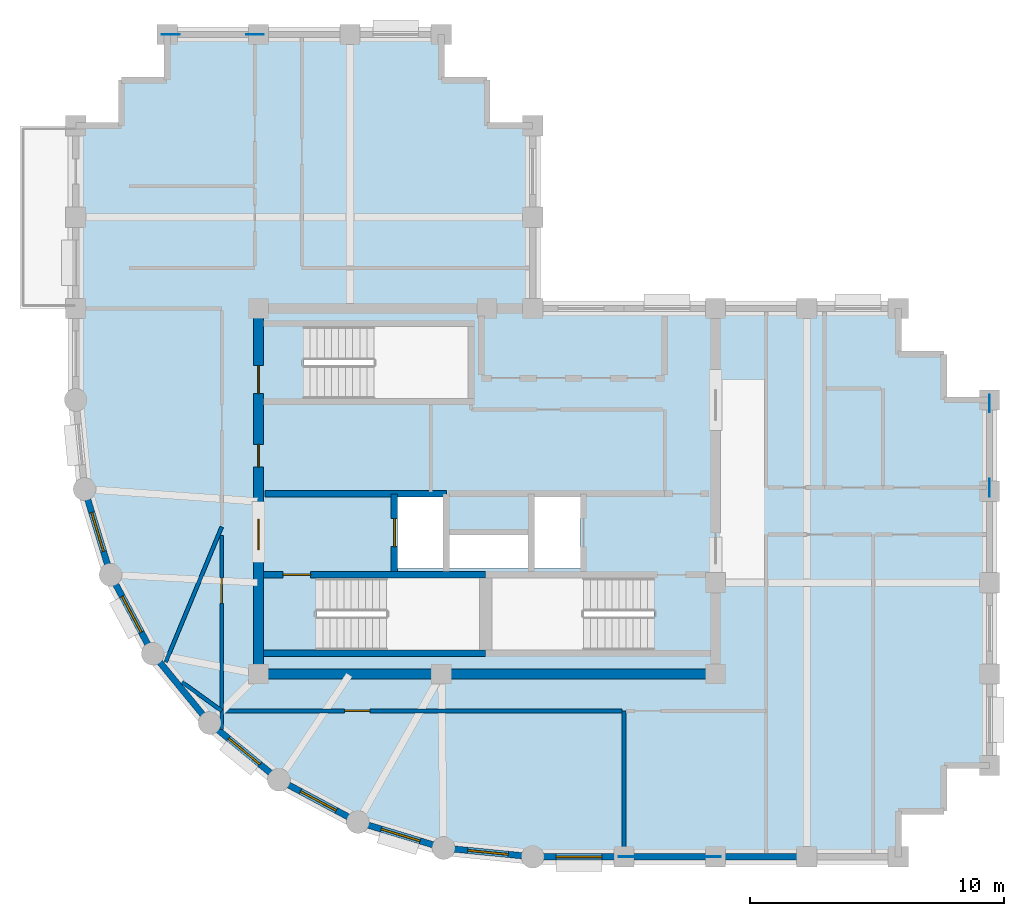
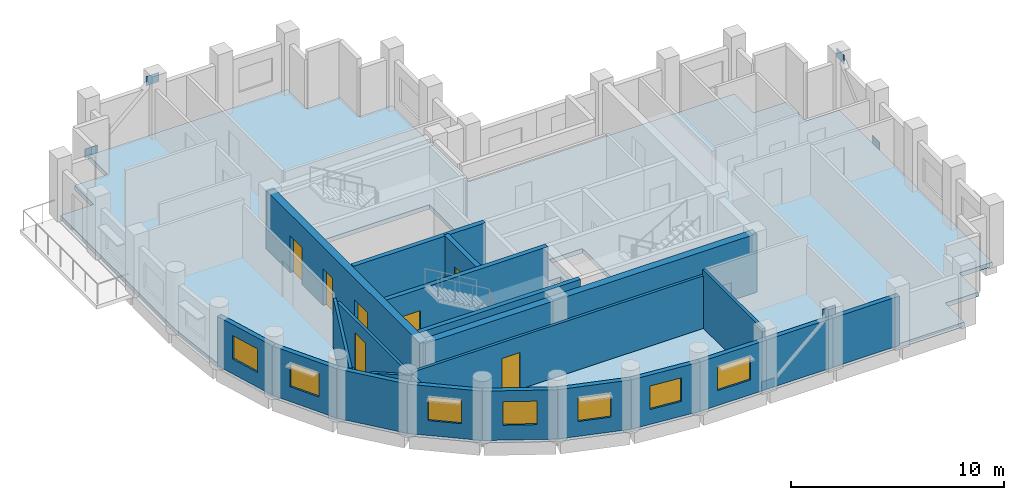
# One storey, part 2 of 7: 21 walls, 7 doors, 7 windows, 6 plates, 1 slab, 14 openings.
"""IFC4 building model written with IfcOpenShell, lengths in metres."""

import ifcopenshell
import ifcopenshell.guid

model = None  # the IFC model being written
_history = None  # IfcOwnerHistory: only IFC2X3 demands one
_inside = {}  # id of a spatial element -> (the spatial element, [elements in it])
_under = {}  # id of a project, library or spatial element -> (it, [spatial elements below it])
_declared = {}  # id of a project -> (the project, [libraries it declares])
_typed = {}  # id of a type object -> (the type object, [elements of that type])
_made_of = {}  # id of a material, layer set ... -> (it, [elements and type objects made of it])


def new_model(schema):
    """Start an empty IFC model of exactly this schema.

    Asked for "IFC4X3", IfcOpenShell would pick the latest addendum, in which some entities
    have other attributes; the version numbers below select the first issue.
    IFC2X3 requires an IfcOwnerHistory on every rooted entity: one is made here for all.
    """
    global model, _history
    if schema == "IFC4X3":
        model = ifcopenshell.file(schema_version=(4, 3, 0, 0))
    else:
        model = ifcopenshell.file(schema=schema)
    _inside.clear()
    _under.clear()
    _declared.clear()
    _typed.clear()
    _made_of.clear()
    _history = None
    if model.schema == "IFC2X3":
        org = make("IfcOrganization", Name="unknown")
        user = make(
            "IfcPersonAndOrganization",
            ThePerson=make("IfcPerson", FamilyName="unknown"),
            TheOrganization=org,
        )
        app = make(
            "IfcApplication",
            ApplicationDeveloper=org,
            Version="unknown",
            ApplicationFullName="unknown",
            ApplicationIdentifier="unknown",
        )
        _history = make(
            "IfcOwnerHistory",
            OwningUser=user,
            OwningApplication=app,
            ChangeAction="ADDED",
            CreationDate=0,
        )
    return model


def make(cls, **values):
    """One entity of the class cls with the attributes given. An attribute that is None is left unset."""
    return model.create_entity(
        cls, **{name: value for name, value in values.items() if value is not None}
    )


def rooted(cls, **values):
    """An entity with a GlobalId (a new one), such as an element, a storey or a relation."""
    return make(cls, GlobalId=ifcopenshell.guid.new(), OwnerHistory=_history, **values)


def si_unit(unit_type, name, prefix=None):
    """IfcSIUnit, for example si_unit("LENGTHUNIT", "METRE", prefix="MILLI")."""
    return make("IfcSIUnit", UnitType=unit_type, Prefix=prefix, Name=name)


def assignment(units):
    """IfcUnitAssignment: the units of a project."""
    return None if units is None else make("IfcUnitAssignment", Units=units)


def point(xyz):
    """IfcCartesianPoint."""
    return None if xyz is None else make("IfcCartesianPoint", Coordinates=xyz)


def direction(xyz):
    """IfcDirection."""
    return None if xyz is None else make("IfcDirection", DirectionRatios=xyz)


def frame(location, z_axis=None, x_axis=None):
    """IfcAxis2Placement3D, a coordinate frame: its origin and axes. An axis left out is left unset."""
    return make(
        "IfcAxis2Placement3D",
        Location=point(location),
        Axis=direction(z_axis),
        RefDirection=direction(x_axis),
    )


def frame_2d(location, x_axis=None):
    """IfcAxis2Placement2D, a coordinate frame in the plane: its origin and x axis."""
    return make(
        "IfcAxis2Placement2D", Location=point(location), RefDirection=direction(x_axis)
    )


def origin():
    """The frame at (0, 0, 0) with its axes left unset."""
    return frame((0.0, 0.0, 0.0))


def origin_2d():
    """The frame at (0, 0) in the plane with its x axis left unset."""
    return frame_2d((0.0, 0.0))


def place(relative_to, where):
    """IfcLocalPlacement: puts the frame where relative to a parent placement (None: the world)."""
    return make(
        "IfcLocalPlacement", PlacementRelTo=relative_to, RelativePlacement=where
    )


def context(
    kind, dimensions, precision=None, world=None, true_north=None, identifier=None
):
    """IfcGeometricRepresentationContext, for example the 3D "Model" context."""
    return make(
        "IfcGeometricRepresentationContext",
        ContextIdentifier=identifier,
        ContextType=kind,
        CoordinateSpaceDimension=dimensions,
        Precision=precision,
        WorldCoordinateSystem=world,
        TrueNorth=true_north,
    )


def subcontext(parent, identifier, kind, view, scale=None):
    """IfcGeometricRepresentationSubContext, for example "Body" below "Model"."""
    return make(
        "IfcGeometricRepresentationSubContext",
        ContextIdentifier=identifier,
        ContextType=kind,
        ParentContext=parent,
        TargetScale=scale,
        TargetView=view,
    )


def project(units=None, contexts=None):
    """IfcProject with its units and contexts."""
    return rooted(
        "IfcProject",
        Name="project",
        RepresentationContexts=contexts,
        UnitsInContext=assignment(units),
    )


def spatial(cls, under=None, at=None, **own):
    """A site, building, storey or space (cls), placed at a placement, below another one or the project."""
    s = rooted(cls, ObjectPlacement=at, **own)
    if under is not None:
        _under.setdefault(under.id(), (under, []))[1].append(s)
    return s


def polyline(points):
    """IfcPolyline through the points."""
    return make("IfcPolyline", Points=[point(p) for p in points])


def profile(cls, at=None, kind="AREA", **sizes):
    """A parametric profile (cls). Its sizes go by their IFC names, for example OverallWidth=200.0."""
    return make(cls, ProfileType=kind, Position=at, **sizes)


def rectangle(**sizes):
    """IfcRectangleProfileDef."""
    return profile("IfcRectangleProfileDef", **sizes)


def outline(outer, holes=None, kind="AREA"):
    """IfcArbitraryClosedProfileDef: a profile drawn as a closed curve; with holes, ...WithVoids."""
    if holes is None:
        return make("IfcArbitraryClosedProfileDef", ProfileType=kind, OuterCurve=outer)
    return make(
        "IfcArbitraryProfileDefWithVoids",
        ProfileType=kind,
        OuterCurve=outer,
        InnerCurves=holes,
    )


def extrude(swept, where, along, depth):
    """IfcExtrudedAreaSolid: the profile swept, set in the frame where, extruded along a direction by depth."""
    return make(
        "IfcExtrudedAreaSolid",
        SweptArea=swept,
        Position=where,
        ExtrudedDirection=direction(along),
        Depth=depth,
    )


def shape(context_of_items, identifier, shape_type, items):
    """IfcShapeRepresentation: the items that make up one representation, for example the "Body"."""
    return make(
        "IfcShapeRepresentation",
        ContextOfItems=context_of_items,
        RepresentationIdentifier=identifier,
        RepresentationType=shape_type,
        Items=items,
    )


def material(Name=None, Category=None):
    """IfcMaterial."""
    return make("IfcMaterial", Name=Name, Category=Category)


def layer(
    of_material, thickness, ventilated=None, Name=None, Category=None, Priority=None
):
    """IfcMaterialLayer: one layer of a wall or slab, of a material (None: an air gap)."""
    return make(
        "IfcMaterialLayer",
        Material=of_material,
        LayerThickness=thickness,
        IsVentilated=ventilated,
        Name=Name,
        Category=Category,
        Priority=Priority,
    )


def layer_set(layers, Name=None):
    """IfcMaterialLayerSet."""
    return make("IfcMaterialLayerSet", MaterialLayers=layers, LayerSetName=Name)


def made_of(thing, what):
    """Note that an element or type object is made of a material, layer set ...; save() writes the relation."""
    if what is not None:
        _made_of.setdefault(what.id(), (what, []))[1].append(thing)
    return thing


def type_object(cls, material=None, **own):
    """A type object (cls), such as IfcWallType, which elements share."""
    return made_of(rooted(cls, **own), material)


def element(
    cls,
    number,
    at=None,
    inside=None,
    cuts=None,
    type_object=None,
    material=None,
    context=None,
    identifier="Body",
    shape_type=None,
    held_by="IfcProductDefinitionShape",
    body=None,
    shapes=None,
    **own,
):
    """One element of the class cls, such as IfcWall. Its Tag is "e" and its number.

    at: its placement. inside: the storey or other place that contains it. cuts: it is an
    opening in that element (IfcRelVoidsElement). A single representation is given by context,
    identifier, shape_type and body (its items); several are given by shapes. held_by: the class
    of the entity that holds the representations. save() writes the other relations.
    """
    e = rooted(cls, Tag="e%d" % number, ObjectPlacement=at, **own)
    if body is not None:
        shapes = [shape(context, identifier, shape_type, body)]
    if shapes is not None:
        e.Representation = make(held_by, Representations=shapes)
    if inside is not None:
        _inside.setdefault(inside.id(), (inside, []))[1].append(e)
    if cuts is not None:
        rooted(
            "IfcRelVoidsElement", RelatingBuildingElement=cuts, RelatedOpeningElement=e
        )
    if type_object is not None:
        _typed.setdefault(type_object.id(), (type_object, []))[1].append(e)
    return made_of(e, material)


def fill(opening, filler):
    """IfcRelFillsElement: the door or window that sits in an opening."""
    return rooted(
        "IfcRelFillsElement",
        RelatingOpeningElement=opening,
        RelatedBuildingElement=filler,
    )


def aggregate(whole, parts):
    """IfcRelAggregates: a whole, such as a stair, and the parts it consists of."""
    return rooted("IfcRelAggregates", RelatingObject=whole, RelatedObjects=parts)


def save(model, path):
    """Write the relations noted so far, then the file.

    IfcRelAggregates (storeys below a building ...), IfcRelContainedInSpatialStructure (elements
    in a storey), IfcRelDefinesByType, IfcRelAssociatesMaterial and IfcRelDeclares: one each for
    every whole, place, type object, material and project.
    """
    for whole, parts in _under.values():
        aggregate(whole, parts)
    for where, things in _inside.values():
        rooted(
            "IfcRelContainedInSpatialStructure",
            RelatedElements=things,
            RelatingStructure=where,
        )
    for kind, things in _typed.values():
        rooted("IfcRelDefinesByType", RelatedObjects=things, RelatingType=kind)
    for what, things in _made_of.values():
        rooted("IfcRelAssociatesMaterial", RelatedObjects=things, RelatingMaterial=what)
    for by, libraries in _declared.values():
        rooted("IfcRelDeclares", RelatingContext=by, RelatedDefinitions=libraries)
    model.write(path)


model = new_model("IFC4")

# Units and contexts
model_context = context("Model", 3, precision=1e-05, world=origin(), true_north=direction((0.0, 1.0)))
body_context = subcontext(model_context, "Body", "Model", "MODEL_VIEW")
ifc_project = project(units=[si_unit("LENGTHUNIT", "METRE"), si_unit("AREAUNIT", "SQUARE_METRE"), si_unit("VOLUMEUNIT", "CUBIC_METRE"), si_unit("PLANEANGLEUNIT", "RADIAN"), si_unit("MASSUNIT", "GRAM", prefix="KILO")], contexts=[model_context])

# Site, building, storey
site_placement = place(None, origin())
site = spatial("IfcSite", under=ifc_project, at=site_placement, CompositionType="ELEMENT")
building_placement = place(site_placement, origin())
building = spatial("IfcBuilding", under=site, at=building_placement, Name="Solnavia Interchange Tower", CompositionType="ELEMENT")
storey_placement = place(building_placement, frame((0.0, 0.0, 266.60009765625)))
storey = spatial("IfcBuildingStorey", under=building, at=storey_placement, Name="L67", CompositionType="ELEMENT", Elevation=266.60009765625)

# Plates
ifc_material_1 = material(Name="Steel S460", Category="steel")
ifc_layer_1 = layer(ifc_material_1, 0.030029296875)
ifc_layer_set_1 = layer_set([ifc_layer_1], Name="Steel S460")
plate_type = type_object("IfcPlateType", Name="Plate-Gusset-700x520x30", PredefinedType="USERDEFINED", material=ifc_layer_set_1)
for number, where, z_axis, x_axis, name in (
    (1, (28.93994140625, 3.60009765625, -0.080078125), (0.0, 0.0, 1.0), (1.0, 0.0, 0.0), "PLT-L67-GP01 Perimeter brace gusset plate"),
    (2, (32.260009765625, 3.60009765625, 2.909912109375), (0.0, 0.0, 1.0), (1.0, 0.0, 0.0), "PLT-L67-GP02 Perimeter brace gusset plate"),
    (3, (43.199951171875, 18.139892578125, -0.080078125), (0.0, 0.0, 1.0), (0.0, 1.0, 0.0), "PLT-L67-GP03 Perimeter brace gusset plate"),
    (4, (43.199951171875, 21.4599609375, 2.909912109375), (0.0, 0.0, 1.0), (0.0, 1.0, 0.0), "PLT-L67-GP04 Perimeter brace gusset plate"),
    (5, (10.93994140625, 36.0, -0.080078125), (0.0, 0.0, 1.0), (1.0, 0.0, 0.0), "PLT-L67-GP05 Perimeter brace gusset plate"),
    (6, (14.260009765625, 36.0, 2.909912109375), (0.0, 0.0, 1.0), (1.0, 0.0, 0.0), "PLT-L67-GP06 Perimeter brace gusset plate"),
):
    element("IfcPlate", number, at=place(storey_placement, frame(where, z_axis=z_axis, x_axis=x_axis)), inside=storey, type_object=plate_type, Name=name, ObjectType="GUSSET PLATE", PredefinedType="USERDEFINED", context=body_context, shape_type="SweptSolid", body=[
        extrude(rectangle(XDim=0.699951171875, YDim=0.030029296875, at=origin_2d()), origin(), (0.0, 0.0, 1.0), 0.52001953125),
    ])

# Slab
ifc_material_2 = material(Name="Concrete C40/50", Category="concrete")
ifc_layer_2 = layer(ifc_material_2, 0.25)
ifc_layer_set_2 = layer_set([ifc_layer_2], Name="Concrete C40/50")
slab_type = type_object("IfcSlabType", Name="Slab-Tower-250", PredefinedType="FLOOR", material=ifc_layer_set_2)
slab_placement = place(storey_placement, frame((0.0, 0.0, -0.25)))
element("IfcSlab", 7, at=slab_placement, inside=storey, type_object=slab_type, Name="SLB-L67-01 Structural floor slab", PredefinedType="FLOOR", context=body_context, shape_type="SweptSolid", body=[
    extrude(outline(polyline([(25.199951171875, 3.60009765625), (39.60009765625, 3.60009765625), (39.60009765625, 5.39990234375), (41.39990234375, 5.39990234375), (41.39990234375, 7.199951171875), (43.199951171875, 7.199951171875), (43.199951171875, 21.60009765625), (41.39990234375, 21.60009765625), (41.39990234375, 23.39990234375), (39.60009765625, 23.39990234375), (39.60009765625, 25.199951171875), (25.199951171875, 25.199951171875), (25.199951171875, 32.39990234375), (23.39990234375, 32.39990234375), (23.39990234375, 34.199951171875), (21.60009765625, 34.199951171875), (21.60009765625, 36.0), (10.800048828125, 36.0), (10.800048828125, 34.199951171875), (9.0, 34.199951171875), (9.0, 32.39990234375), (7.199951171875, 32.39990234375), (7.199951171875, 21.60009765625), (7.5458984375, 18.087890625), (8.570068359375, 14.7119140625), (10.23388671875, 11.60009765625), (12.471923828125, 8.8720703125), (15.199951171875, 6.634033203125), (18.31201171875, 4.969970703125), (21.68798828125, 3.946044921875), (25.199951171875, 3.60009765625)]), holes=[polyline([(16.675048828125, 11.75), (23.10009765625, 11.75), (23.10009765625, 14.590087890625), (16.675048828125, 14.590087890625), (16.675048828125, 11.75)]), polyline([(23.60009765625, 11.75), (29.97509765625, 11.75), (29.97509765625, 14.590087890625), (23.60009765625, 14.590087890625), (23.60009765625, 11.75)]), polyline([(16.175048828125, 21.64990234375), (22.64990234375, 21.64990234375), (22.64990234375, 24.489990234375), (16.175048828125, 24.489990234375), (16.175048828125, 21.64990234375)]), polyline([(19.8798828125, 14.9599609375), (21.679931640625, 14.9599609375), (21.679931640625, 17.780029296875), (19.8798828125, 17.780029296875), (19.8798828125, 14.9599609375)]), polyline([(25.280029296875, 14.9599609375), (27.080078125, 14.9599609375), (27.080078125, 17.780029296875), (25.280029296875, 17.780029296875), (25.280029296875, 14.9599609375)]), polyline([(21.919921875, 14.9599609375), (25.02001953125, 14.9599609375), (25.02001953125, 16.280029296875), (21.919921875, 16.280029296875), (21.919921875, 14.9599609375)])]), origin(), (0.0, 0.0, 1.0), 0.25),
])

# Wall, opening, window
ifc_layer_3 = layer(ifc_material_2, 0.25)
ifc_layer_set_3 = layer_set([ifc_layer_3], Name="Concrete C40/50")
wall_type_1 = type_object("IfcWallType", Name="Wall-ExtSpandrel-250", PredefinedType="STANDARD", material=ifc_layer_set_3)
wall_1_placement = place(storey_placement, frame((28.800048828125, 3.60009765625, 0.0), z_axis=(0.0, 0.0, 1.0), x_axis=(-1.0, 0.0, 0.0)))
wall_1 = element("IfcWall", 8, at=wall_1_placement, inside=storey, type_object=wall_type_1, Name="EXW-L67-01 Exterior precast spandrel wall", PredefinedType="STANDARD", context=body_context, shape_type="SweptSolid", body=[
    extrude(rectangle(XDim=3.60009765625, YDim=0.25, at=frame_2d((1.800048828125, 0.0))), origin(), (0.0, 0.0, 1.0), 2.829833984375),
])
opening_1_placement = place(wall_1_placement, frame((0.875, 0.0, 0.85009765625)))
opening_1 = element("IfcOpeningElement", 9, at=opening_1_placement, cuts=wall_1, Name="Opening WIN-02", PredefinedType="OPENING", context=body_context, shape_type="SweptSolid", body=[
    extrude(rectangle(XDim=1.800048828125, YDim=1.35009765625, at=frame_2d((0.89990234375, 0.675048828125))), frame((0.0, 0.135009765625, 0.0), z_axis=(0.0, -1.0, 0.0), x_axis=(1.0, 0.0, 0.0)), (0.0, 0.0, 1.0), 0.27001953125),
])
ifc_material_3 = material(Name="Thermal-Break Aluminium & Low-E Glass", Category="aluminium")
window_type_1 = type_object("IfcWindowType", Name="Window-Ribbon-1800x1350", PartitioningType="SINGLE_PANEL", PredefinedType="WINDOW", material=ifc_material_3)
window_1_placement = place(opening_1_placement, origin())
window_1 = element("IfcWindow", 10, at=window_1_placement, inside=storey, type_object=window_type_1, Name="WIN-L67-01 Facade ribbon window", OverallHeight=1.35009765625, OverallWidth=1.800048828125, PartitioningType="SINGLE_PANEL", PredefinedType="WINDOW", context=body_context, shape_type="SweptSolid", body=[
    extrude(rectangle(XDim=1.800048828125, YDim=1.35009765625, at=frame_2d((0.89990234375, 0.675048828125))), frame((0.0, 0.030029296875, 0.0), z_axis=(0.0, -1.0, 0.0), x_axis=(1.0, 0.0, 0.0)), (0.0, 0.0, 1.0), 0.06005859375),
])
fill(opening_1, window_1)

# Walls
wall_2_placement = place(storey_placement, frame((32.39990234375, 3.60009765625, 0.0), z_axis=(0.0, 0.0, 1.0), x_axis=(-1.0, 0.0, 0.0)))
element("IfcWall", 11, at=wall_2_placement, inside=storey, type_object=wall_type_1, Name="EXW-L67-02 Exterior precast spandrel wall", PredefinedType="STANDARD", context=body_context, shape_type="SweptSolid", body=[
    extrude(rectangle(XDim=3.599853515625, YDim=0.25, at=frame_2d((1.7998046875, 0.0))), origin(), (0.0, 0.0, 1.0), 2.829833984375),
])
wall_3_placement = place(storey_placement, frame((36.0, 3.60009765625, 0.0), z_axis=(0.0, 0.0, 1.0), x_axis=(-1.0, 0.0, 0.0)))
element("IfcWall", 12, at=wall_3_placement, inside=storey, type_object=wall_type_1, Name="EXW-L67-03 Exterior precast spandrel wall", PredefinedType="STANDARD", context=body_context, shape_type="SweptSolid", body=[
    extrude(rectangle(XDim=3.60009765625, YDim=0.25, at=frame_2d((1.800048828125, 0.0))), origin(), (0.0, 0.0, 1.0), 2.829833984375),
])

# Wall, opening, window
wall_4_placement = place(storey_placement, frame((8.570068359375, 14.7119140625, 0.0), z_axis=(0.0, 0.0, 1.0), x_axis=(-0.290305086481, 0.956934144423, 0.0)))
wall_4 = element("IfcWall", 13, at=wall_4_placement, inside=storey, type_object=wall_type_1, Name="EXW-L67-38 Exterior precast spandrel wall", PredefinedType="STANDARD", context=body_context, shape_type="SweptSolid", body=[
    extrude(rectangle(XDim=3.52783203125, YDim=0.25, at=frame_2d((1.763916015625, 0.0))), origin(), (0.0, 0.0, 1.0), 2.829833984375),
])
opening_2_placement = place(wall_4_placement, frame((0.964111328125, 0.0, 0.85009765625)))
opening_2 = element("IfcOpeningElement", 14, at=opening_2_placement, cuts=wall_4, Name="Opening WIN-04", PredefinedType="OPENING", context=body_context, shape_type="SweptSolid", body=[
    extrude(rectangle(XDim=1.60009765625, YDim=1.35009765625, at=frame_2d((0.800048828125, 0.675048828125))), frame((0.0, 0.135009765625, 0.0), z_axis=(0.0, -1.0, 0.0), x_axis=(1.0, 0.0, 0.0)), (0.0, 0.0, 1.0), 0.27001953125),
])
window_type_2 = type_object("IfcWindowType", Name="Window-Drum-1600x1350", PartitioningType="SINGLE_PANEL", PredefinedType="WINDOW", material=ifc_material_3)
window_2_placement = place(opening_2_placement, origin())
window_2 = element("IfcWindow", 15, at=window_2_placement, inside=storey, type_object=window_type_2, Name="WIN-L67-38 Facade ribbon window", OverallHeight=1.35009765625, OverallWidth=1.60009765625, PartitioningType="SINGLE_PANEL", PredefinedType="WINDOW", context=body_context, shape_type="SweptSolid", body=[
    extrude(rectangle(XDim=1.60009765625, YDim=1.35009765625, at=frame_2d((0.800048828125, 0.675048828125))), frame((0.0, 0.030029296875, 0.0), z_axis=(0.0, -1.0, 0.0), x_axis=(1.0, 0.0, 0.0)), (0.0, 0.0, 1.0), 0.06005859375),
])
fill(opening_2, window_2)

wall_5_placement = place(storey_placement, frame((10.23388671875, 11.60009765625, 0.0), z_axis=(0.0, 0.0, 1.0), x_axis=(-0.47151087309, 0.881860247748, 0.0)))
wall_5 = element("IfcWall", 16, at=wall_5_placement, inside=storey, type_object=wall_type_1, Name="EXW-L67-39 Exterior precast spandrel wall", PredefinedType="STANDARD", context=body_context, shape_type="SweptSolid", body=[
    extrude(rectangle(XDim=3.52880859375, YDim=0.25, at=frame_2d((1.764404296875, 0.0))), origin(), (0.0, 0.0, 1.0), 2.829833984375),
])
opening_3_placement = place(wall_5_placement, frame((0.964111328125, 0.0, 0.85009765625)))
opening_3 = element("IfcOpeningElement", 17, at=opening_3_placement, cuts=wall_5, Name="Opening WIN-04", PredefinedType="OPENING", context=body_context, shape_type="SweptSolid", body=[
    extrude(rectangle(XDim=1.60009765625, YDim=1.35009765625, at=frame_2d((0.800048828125, 0.675048828125))), frame((0.0, 0.135009765625, 0.0), z_axis=(0.0, -1.0, 0.0), x_axis=(1.0, 0.0, 0.0)), (0.0, 0.0, 1.0), 0.27001953125),
])
window_3_placement = place(opening_3_placement, origin())
window_3 = element("IfcWindow", 18, at=window_3_placement, inside=storey, type_object=window_type_2, Name="WIN-L67-39 Facade ribbon window", OverallHeight=1.35009765625, OverallWidth=1.60009765625, PartitioningType="SINGLE_PANEL", PredefinedType="WINDOW", context=body_context, shape_type="SweptSolid", body=[
    extrude(rectangle(XDim=1.60009765625, YDim=1.35009765625, at=frame_2d((0.800048828125, 0.675048828125))), frame((0.0, 0.030029296875, 0.0), z_axis=(0.0, -1.0, 0.0), x_axis=(1.0, 0.0, 0.0)), (0.0, 0.0, 1.0), 0.06005859375),
])
fill(opening_3, window_3)

# Wall
wall_6_placement = place(storey_placement, frame((12.471923828125, 8.8720703125, 0.0), z_axis=(0.0, 0.0, 1.0), x_axis=(-0.634258295121, 0.773121216285, 0.0)))
element("IfcWall", 19, at=wall_6_placement, inside=storey, type_object=wall_type_1, Name="EXW-L67-40 Exterior precast spandrel wall", PredefinedType="STANDARD", context=body_context, shape_type="SweptSolid", body=[
    extrude(rectangle(XDim=3.528564453125, YDim=0.25, at=frame_2d((1.76416015625, 0.0))), origin(), (0.0, 0.0, 1.0), 2.829833984375),
])

# Wall, opening, window
wall_7_placement = place(storey_placement, frame((15.199951171875, 6.634033203125, 0.0), z_axis=(0.0, 0.0, 1.0), x_axis=(-0.773121216285, 0.634258295121, 0.0)))
wall_7 = element("IfcWall", 20, at=wall_7_placement, inside=storey, type_object=wall_type_1, Name="EXW-L67-41 Exterior precast spandrel wall", PredefinedType="STANDARD", context=body_context, shape_type="SweptSolid", body=[
    extrude(rectangle(XDim=3.528564453125, YDim=0.25, at=frame_2d((1.76416015625, 0.0))), origin(), (0.0, 0.0, 1.0), 2.829833984375),
])
opening_4_placement = place(wall_7_placement, frame((0.964111328125, 0.0, 0.85009765625)))
opening_4 = element("IfcOpeningElement", 21, at=opening_4_placement, cuts=wall_7, Name="Opening WIN-04", PredefinedType="OPENING", context=body_context, shape_type="SweptSolid", body=[
    extrude(rectangle(XDim=1.60009765625, YDim=1.35009765625, at=frame_2d((0.800048828125, 0.675048828125))), frame((0.0, 0.135009765625, 0.0), z_axis=(0.0, -1.0, 0.0), x_axis=(1.0, 0.0, 0.0)), (0.0, 0.0, 1.0), 0.27001953125),
])
window_4_placement = place(opening_4_placement, origin())
window_4 = element("IfcWindow", 22, at=window_4_placement, inside=storey, type_object=window_type_2, Name="WIN-L67-41 Facade ribbon window", OverallHeight=1.35009765625, OverallWidth=1.60009765625, PartitioningType="SINGLE_PANEL", PredefinedType="WINDOW", context=body_context, shape_type="SweptSolid", body=[
    extrude(rectangle(XDim=1.60009765625, YDim=1.35009765625, at=frame_2d((0.800048828125, 0.675048828125))), frame((0.0, 0.030029296875, 0.0), z_axis=(0.0, -1.0, 0.0), x_axis=(1.0, 0.0, 0.0)), (0.0, 0.0, 1.0), 0.06005859375),
])
fill(opening_4, window_4)

wall_8_placement = place(storey_placement, frame((18.31201171875, 4.969970703125, 0.0), z_axis=(0.0, 0.0, 1.0), x_axis=(-0.881846862014, 0.471535907389, 0.0)))
wall_8 = element("IfcWall", 23, at=wall_8_placement, inside=storey, type_object=wall_type_1, Name="EXW-L67-42 Exterior precast spandrel wall", PredefinedType="STANDARD", context=body_context, shape_type="SweptSolid", body=[
    extrude(rectangle(XDim=3.529052734375, YDim=0.25, at=frame_2d((1.7646484375, 0.0))), origin(), (0.0, 0.0, 1.0), 2.829833984375),
])
opening_5_placement = place(wall_8_placement, frame((0.964111328125, 0.0, 0.85009765625)))
opening_5 = element("IfcOpeningElement", 24, at=opening_5_placement, cuts=wall_8, Name="Opening WIN-04", PredefinedType="OPENING", context=body_context, shape_type="SweptSolid", body=[
    extrude(rectangle(XDim=1.60009765625, YDim=1.35009765625, at=frame_2d((0.800048828125, 0.675048828125))), frame((0.0, 0.135009765625, 0.0), z_axis=(0.0, -1.0, 0.0), x_axis=(1.0, 0.0, 0.0)), (0.0, 0.0, 1.0), 0.27001953125),
])
window_5_placement = place(opening_5_placement, origin())
window_5 = element("IfcWindow", 25, at=window_5_placement, inside=storey, type_object=window_type_2, Name="WIN-L67-42 Facade ribbon window", OverallHeight=1.35009765625, OverallWidth=1.60009765625, PartitioningType="SINGLE_PANEL", PredefinedType="WINDOW", context=body_context, shape_type="SweptSolid", body=[
    extrude(rectangle(XDim=1.60009765625, YDim=1.35009765625, at=frame_2d((0.800048828125, 0.675048828125))), frame((0.0, 0.030029296875, 0.0), z_axis=(0.0, -1.0, 0.0), x_axis=(1.0, 0.0, 0.0)), (0.0, 0.0, 1.0), 0.06005859375),
])
fill(opening_5, window_5)

wall_9_placement = place(storey_placement, frame((21.68798828125, 3.946044921875, 0.0), z_axis=(0.0, 0.0, 1.0), x_axis=(-0.956953367403, 0.290241714123, 0.0)))
wall_9 = element("IfcWall", 26, at=wall_9_placement, inside=storey, type_object=wall_type_1, Name="EXW-L67-43 Exterior precast spandrel wall", PredefinedType="STANDARD", context=body_context, shape_type="SweptSolid", body=[
    extrude(rectangle(XDim=3.52783203125, YDim=0.25, at=frame_2d((1.763916015625, 0.0))), origin(), (0.0, 0.0, 1.0), 2.829833984375),
])
opening_6_placement = place(wall_9_placement, frame((0.964111328125, 0.0, 0.85009765625)))
opening_6 = element("IfcOpeningElement", 27, at=opening_6_placement, cuts=wall_9, Name="Opening WIN-04", PredefinedType="OPENING", context=body_context, shape_type="SweptSolid", body=[
    extrude(rectangle(XDim=1.60009765625, YDim=1.35009765625, at=frame_2d((0.800048828125, 0.675048828125))), frame((0.0, 0.135009765625, 0.0), z_axis=(0.0, -1.0, 0.0), x_axis=(1.0, 0.0, 0.0)), (0.0, 0.0, 1.0), 0.27001953125),
])
window_6_placement = place(opening_6_placement, origin())
window_6 = element("IfcWindow", 28, at=window_6_placement, inside=storey, type_object=window_type_2, Name="WIN-L67-43 Facade ribbon window", OverallHeight=1.35009765625, OverallWidth=1.60009765625, PartitioningType="SINGLE_PANEL", PredefinedType="WINDOW", context=body_context, shape_type="SweptSolid", body=[
    extrude(rectangle(XDim=1.60009765625, YDim=1.35009765625, at=frame_2d((0.800048828125, 0.675048828125))), frame((0.0, 0.030029296875, 0.0), z_axis=(0.0, -1.0, 0.0), x_axis=(1.0, 0.0, 0.0)), (0.0, 0.0, 1.0), 0.06005859375),
])
fill(opening_6, window_6)

wall_10_placement = place(storey_placement, frame((25.199951171875, 3.60009765625, 0.0), z_axis=(0.0, 0.0, 1.0), x_axis=(-0.995183369056, 0.098030923459, 0.0)))
wall_10 = element("IfcWall", 29, at=wall_10_placement, inside=storey, type_object=wall_type_1, Name="EXW-L67-44 Exterior precast spandrel wall", PredefinedType="STANDARD", context=body_context, shape_type="SweptSolid", body=[
    extrude(rectangle(XDim=3.529052734375, YDim=0.25, at=frame_2d((1.7646484375, 0.0))), origin(), (0.0, 0.0, 1.0), 2.829833984375),
])
opening_7_placement = place(wall_10_placement, frame((0.965087890625, 0.0, 0.85009765625)))
opening_7 = element("IfcOpeningElement", 30, at=opening_7_placement, cuts=wall_10, Name="Opening WIN-04", PredefinedType="OPENING", context=body_context, shape_type="SweptSolid", body=[
    extrude(rectangle(XDim=1.60009765625, YDim=1.35009765625, at=frame_2d((0.800048828125, 0.675048828125))), frame((0.0, 0.135009765625, 0.0), z_axis=(0.0, -1.0, 0.0), x_axis=(1.0, 0.0, 0.0)), (0.0, 0.0, 1.0), 0.27001953125),
])
window_7_placement = place(opening_7_placement, origin())
window_7 = element("IfcWindow", 31, at=window_7_placement, inside=storey, type_object=window_type_2, Name="WIN-L67-44 Facade ribbon window", OverallHeight=1.35009765625, OverallWidth=1.60009765625, PartitioningType="SINGLE_PANEL", PredefinedType="WINDOW", context=body_context, shape_type="SweptSolid", body=[
    extrude(rectangle(XDim=1.60009765625, YDim=1.35009765625, at=frame_2d((0.800048828125, 0.675048828125))), frame((0.0, 0.030029296875, 0.0), z_axis=(0.0, -1.0, 0.0), x_axis=(1.0, 0.0, 0.0)), (0.0, 0.0, 1.0), 0.06005859375),
])
fill(opening_7, window_7)

# Walls
ifc_material_4 = material(Name="Gypsum Plasterboard & Steel Stud", Category="steel")
ifc_layer_4 = layer(ifc_material_4, 0.14990234375)
ifc_layer_set_4 = layer_set([ifc_layer_4], Name="Gypsum Plasterboard & Steel Stud")
wall_type_2 = type_object("IfcWallType", Name="Wall-Partition-150", PredefinedType="PARTITIONING", material=ifc_layer_set_4)
wall_11_placement = place(storey_placement, frame((28.800048828125, 9.35009765625, 0.0), z_axis=(0.0, 0.0, 1.0), x_axis=(0.0, -1.0, 0.0)))
element("IfcWall", 32, at=wall_11_placement, inside=storey, type_object=wall_type_2, Name="PTW-L67-08 Interior partition wall", PredefinedType="PARTITIONING", context=body_context, shape_type="SweptSolid", body=[
    extrude(rectangle(XDim=5.62109375, YDim=0.14990234375, at=frame_2d((2.810546875, 0.0))), origin(), (0.0, 0.0, 1.0), 3.3349609375),
])
wall_12_placement = place(storey_placement, frame((12.949951171875, 9.35009765625, 0.0), z_axis=(0.0, 0.0, 1.0), x_axis=(-0.8106792284, 0.585490553844, 0.0)))
element("IfcWall", 33, at=wall_12_placement, inside=storey, type_object=wall_type_2, Name="PTW-L67-09 Interior partition wall", PredefinedType="PARTITIONING", context=body_context, shape_type="SweptSolid", body=[
    extrude(rectangle(XDim=1.9296875, YDim=0.14990234375, at=frame_2d((0.96484375, 0.0))), origin(), (0.0, 0.0, 1.0), 2.829833984375),
])
wall_13_placement = place(storey_placement, frame((12.949951171875, 16.60009765625, 0.0), z_axis=(0.0, 0.0, 1.0), x_axis=(-0.382758890427, -0.923848273148, 0.0)))
element("IfcWall", 34, at=wall_13_placement, inside=storey, type_object=wall_type_2, Name="PTW-L67-10 Interior partition wall", PredefinedType="PARTITIONING", context=body_context, shape_type="SweptSolid", body=[
    extrude(rectangle(XDim=5.773193359375, YDim=0.14990234375, at=frame_2d((2.88671875, 0.0))), origin(), (0.0, 0.0, 1.0), 2.829833984375),
])

# Wall, opening, door
wall_14_placement = place(storey_placement, frame((12.949951171875, 8.60888671875, 0.0), z_axis=(0.0, 0.0, 1.0), x_axis=(0.0, 1.0, 0.0)))
wall_14 = element("IfcWall", 35, at=wall_14_placement, inside=storey, type_object=wall_type_2, Name="PTW-L67-12 Interior partition wall", PredefinedType="PARTITIONING", context=body_context, shape_type="SweptSolid", body=[
    extrude(rectangle(XDim=7.651611328125, YDim=0.14990234375, at=frame_2d((3.82568359375, 0.0))), origin(), (0.0, 0.0, 1.0), 2.829833984375),
])
opening_8_placement = place(wall_14_placement, frame((4.971923828125, 0.0, 0.0)))
opening_8 = element("IfcOpeningElement", 36, at=opening_8_placement, cuts=wall_14, Name="Opening DR-07", PredefinedType="OPENING", context=body_context, shape_type="SweptSolid", body=[
    extrude(rectangle(XDim=1.0, YDim=2.10009765625, at=frame_2d((0.5, 1.050048828125))), frame((0.0, 0.0849609375, 0.0), z_axis=(0.0, -1.0, 0.0), x_axis=(1.0, 0.0, 0.0)), (0.0, 0.0, 1.0), 0.169921875),
])
ifc_material_5 = material(Name="Timber & Acoustic Glazed Office Door", Category="wood")
door_type_1 = type_object("IfcDoorType", Name="Door-Office-1000x2100", OperationType="SINGLE_SWING_RIGHT", PredefinedType="DOOR", material=ifc_material_5)
door_1_placement = place(opening_8_placement, origin())
door_1 = element("IfcDoor", 37, at=door_1_placement, inside=storey, type_object=door_type_1, Name="DR-L67-04 Interior room door", OperationType="SINGLE_SWING_RIGHT", OverallHeight=2.10009765625, OverallWidth=1.0, PredefinedType="DOOR", context=body_context, shape_type="SweptSolid", body=[
    extrude(rectangle(XDim=1.0, YDim=2.10009765625, at=frame_2d((0.5, 1.050048828125))), frame((0.0, 0.02490234375, 0.0), z_axis=(0.0, -1.0, 0.0), x_axis=(1.0, 0.0, 0.0)), (0.0, 0.0, 1.0), 0.050048828125),
])
fill(opening_8, door_1)

wall_15_placement = place(storey_placement, frame((12.949951171875, 9.35009765625, 0.0), z_axis=(0.0, 0.0, 1.0), x_axis=(1.0, 0.0, 0.0)))
wall_15 = element("IfcWall", 38, at=wall_15_placement, inside=storey, type_object=wall_type_2, Name="PTW-L67-13 Interior partition wall", PredefinedType="PARTITIONING", context=body_context, shape_type="SweptSolid", body=[
    extrude(rectangle(XDim=15.77099609375, YDim=0.14990234375, at=frame_2d((7.885498046875, 0.0))), origin(), (0.0, 0.0, 1.0), 3.02001953125),
])
opening_9_placement = place(wall_15_placement, frame((4.8359375, 0.0, 0.0)))
opening_9 = element("IfcOpeningElement", 39, at=opening_9_placement, cuts=wall_15, Name="Opening DR-07", PredefinedType="OPENING", context=body_context, shape_type="SweptSolid", body=[
    extrude(rectangle(XDim=1.0, YDim=2.10009765625, at=frame_2d((0.5, 1.050048828125))), frame((0.0, 0.0849609375, 0.0), z_axis=(0.0, -1.0, 0.0), x_axis=(1.0, 0.0, 0.0)), (0.0, 0.0, 1.0), 0.169921875),
])
door_2_placement = place(opening_9_placement, origin())
door_2 = element("IfcDoor", 40, at=door_2_placement, inside=storey, type_object=door_type_1, Name="DR-L67-05 Interior room door", OperationType="SINGLE_SWING_LEFT", OverallHeight=2.10009765625, OverallWidth=1.0, PredefinedType="DOOR", context=body_context, shape_type="SweptSolid", body=[
    extrude(rectangle(XDim=1.0, YDim=2.10009765625, at=frame_2d((0.5, 1.050048828125))), frame((0.0, 0.02490234375, 0.0), z_axis=(0.0, -1.0, 0.0), x_axis=(1.0, 0.0, 0.0)), (0.0, 0.0, 1.0), 0.050048828125),
])
fill(opening_9, door_2)

# Wall
ifc_layer_5 = layer(ifc_material_2, 0.25)
ifc_layer_set_5 = layer_set([ifc_layer_5], Name="Concrete C40/50")
wall_type_3 = type_object("IfcWallType", Name="Wall-ShaftCore-250", PredefinedType="SHEAR", material=ifc_layer_set_5)
wall_16_placement = place(storey_placement, frame((14.60009765625, 11.625, 0.0), z_axis=(0.0, 0.0, 1.0), x_axis=(1.0, 0.0, 0.0)))
element("IfcWall", 41, at=wall_16_placement, inside=storey, type_object=wall_type_3, Name="SHW-L67-ST1S Core shear wall", PredefinedType="SHEAR", context=body_context, shape_type="SweptSolid", body=[
    extrude(rectangle(XDim=8.75, YDim=0.25, at=frame_2d((4.375, 0.0))), origin(), (0.0, 0.0, 1.0), 3.349853515625),
])

# Wall, opening, door
wall_17_placement = place(storey_placement, frame((14.60009765625, 14.715087890625, 0.0), z_axis=(0.0, 0.0, 1.0), x_axis=(1.0, 0.0, 0.0)))
wall_17 = element("IfcWall", 42, at=wall_17_placement, inside=storey, type_object=wall_type_3, Name="SHW-L67-ST1N Core shear wall", PredefinedType="SHEAR", context=body_context, shape_type="SweptSolid", body=[
    extrude(rectangle(XDim=8.75, YDim=0.25, at=frame_2d((4.375, 0.0))), origin(), (0.0, 0.0, 1.0), 3.349853515625),
])
opening_10_placement = place(wall_17_placement, frame((0.7548828125, 0.0, 0.0)))
opening_10 = element("IfcOpeningElement", 43, at=opening_10_placement, cuts=wall_17, Name="Opening DR-01", PredefinedType="OPENING", context=body_context, shape_type="SweptSolid", body=[
    extrude(rectangle(XDim=1.10009765625, YDim=2.10009765625, at=frame_2d((0.550048828125, 1.050048828125))), frame((0.0, 0.135009765625, 0.0), z_axis=(0.0, -1.0, 0.0), x_axis=(1.0, 0.0, 0.0)), (0.0, 0.0, 1.0), 0.27001953125),
])
ifc_material_6 = material(Name="Steel Fire-Rated Leaf & Frame", Category="steel")
door_type_2 = type_object("IfcDoorType", Name="Door-StairFire-1100x2100", OperationType="SINGLE_SWING_LEFT", PredefinedType="DOOR", material=ifc_material_6)
door_3_placement = place(opening_10_placement, origin())
door_3 = element("IfcDoor", 44, at=door_3_placement, inside=storey, type_object=door_type_2, Name="DR-L67-ST1 Core fire door", OperationType="SINGLE_SWING_LEFT", OverallHeight=2.10009765625, OverallWidth=1.10009765625, PredefinedType="DOOR", context=body_context, shape_type="SweptSolid", body=[
    extrude(rectangle(XDim=1.10009765625, YDim=2.10009765625, at=frame_2d((0.550048828125, 1.050048828125))), frame((0.0, 0.02490234375, 0.0), z_axis=(0.0, -1.0, 0.0), x_axis=(1.0, 0.0, 0.0)), (0.0, 0.0, 1.0), 0.050048828125),
])
fill(opening_10, door_3)

# Wall
ifc_layer_6 = layer(ifc_material_2, 0.25)
ifc_layer_set_6 = layer_set([ifc_layer_6], Name="Concrete C40/50")
wall_type_4 = type_object("IfcWallType", Name="Wall-ShaftPart-250", PredefinedType="PARTITIONING", material=ifc_layer_set_6)
wall_18_placement = place(storey_placement, frame((14.64990234375, 17.89990234375, 0.0), z_axis=(0.0, 0.0, 1.0), x_axis=(1.0, 0.0, 0.0)))
element("IfcWall", 45, at=wall_18_placement, inside=storey, type_object=wall_type_4, Name="SHW-L67-FFLW-N Core shaft wall", PredefinedType="PARTITIONING", context=body_context, shape_type="SweptSolid", body=[
    extrude(rectangle(XDim=7.150146484375, YDim=0.25, at=frame_2d((3.5751953125, 0.0))), origin(), (0.0, 0.0, 1.0), 3.3349609375),
])

# Wall, opening, door
wall_19_placement = place(storey_placement, frame((19.75, 14.840087890625, 0.0), z_axis=(0.0, 0.0, 1.0), x_axis=(0.0, 1.0, 0.0)))
wall_19 = element("IfcWall", 46, at=wall_19_placement, inside=storey, type_object=wall_type_4, Name="SHW-L67-FFL1-W Core shaft wall", PredefinedType="PARTITIONING", context=body_context, shape_type="SweptSolid", body=[
    extrude(rectangle(XDim=3.059814453125, YDim=0.25, at=frame_2d((1.52978515625, 0.0))), origin(), (0.0, 0.0, 1.0), 3.3349609375),
])
opening_11_placement = place(wall_19_placement, frame((0.97998046875, 0.0, 0.0)))
opening_11 = element("IfcOpeningElement", 47, at=opening_11_placement, cuts=wall_19, Name="Opening LD-01", PredefinedType="OPENING", context=body_context, shape_type="SweptSolid", body=[
    extrude(rectangle(XDim=1.10009765625, YDim=2.10009765625, at=frame_2d((0.550048828125, 1.050048828125))), frame((0.0, 0.135009765625, 0.0), z_axis=(0.0, -1.0, 0.0), x_axis=(1.0, 0.0, 0.0)), (0.0, 0.0, 1.0), 0.27001953125),
])
ifc_material_7 = material(Name="Brushed Stainless Steel Sliding Door", Category="steel")
door_type_3 = type_object("IfcDoorType", Name="Door-LiftLanding-1100x2100", OperationType="SLIDING_TO_LEFT", PredefinedType="DOOR", material=ifc_material_7)
door_4_placement = place(opening_11_placement, origin())
door_4 = element("IfcDoor", 48, at=door_4_placement, inside=storey, type_object=door_type_3, Name="LD-L67-FFL1 Lift landing sliding door", OperationType="SLIDING_TO_LEFT", OverallHeight=2.10009765625, OverallWidth=1.10009765625, PredefinedType="DOOR", context=body_context, shape_type="SweptSolid", body=[
    extrude(rectangle(XDim=1.10009765625, YDim=2.10009765625, at=frame_2d((0.550048828125, 1.050048828125))), frame((0.0, 0.02490234375, 0.0), z_axis=(0.0, -1.0, 0.0), x_axis=(1.0, 0.0, 0.0)), (0.0, 0.0, 1.0), 0.050048828125),
])
fill(opening_11, door_4)

# Wall
ifc_material_8 = material(Name="Concrete C50/60", Category="concrete")
ifc_layer_7 = layer(ifc_material_8, 0.39990234375)
ifc_layer_set_7 = layer_set([ifc_layer_7], Name="Concrete C50/60")
wall_type_5 = type_object("IfcWallType", Name="Wall-ShearCore-400", PredefinedType="SHEAR", material=ifc_layer_set_7)
wall_20_placement = place(storey_placement, frame((14.39990234375, 10.800048828125, 0.0), z_axis=(0.0, 0.0, 1.0), x_axis=(1.0, 0.0, 0.0)))
element("IfcWall", 49, at=wall_20_placement, inside=storey, type_object=wall_type_5, Name="CRW-L67-S Core shear wall", PredefinedType="SHEAR", context=body_context, shape_type="SweptSolid", body=[
    extrude(rectangle(XDim=18.0, YDim=0.39990234375, at=frame_2d((9.0, 0.0))), origin(), (0.0, 0.0, 1.0), 3.349853515625),
])

# Wall, openings, doors
wall_21_placement = place(storey_placement, frame((14.39990234375, 10.800048828125, 0.0), z_axis=(0.0, 0.0, 1.0), x_axis=(0.0, 1.0, 0.0)))
wall_21 = element("IfcWall", 50, at=wall_21_placement, inside=storey, type_object=wall_type_5, Name="CRW-L67-W Core shear wall", PredefinedType="SHEAR", context=body_context, shape_type="SweptSolid", body=[
    extrude(rectangle(XDim=14.39990234375, YDim=0.39990234375, at=frame_2d((7.199951171875, 0.0))), origin(), (0.0, 0.0, 1.0), 3.349853515625),
])
opening_12_placement = place(wall_21_placement, frame((11.050048828125, 0.0, 0.0)))
opening_12 = element("IfcOpeningElement", 51, at=opening_12_placement, cuts=wall_21, Name="Opening DR-01", PredefinedType="OPENING", context=body_context, shape_type="SweptSolid", body=[
    extrude(rectangle(XDim=1.10009765625, YDim=2.10009765625, at=frame_2d((0.550048828125, 1.050048828125))), frame((0.0, 0.2099609375, 0.0), z_axis=(0.0, -1.0, 0.0), x_axis=(1.0, 0.0, 0.0)), (0.0, 0.0, 1.0), 0.419921875),
])
opening_13_placement = place(wall_21_placement, frame((4.89990234375, 0.0, 0.0)))
opening_13 = element("IfcOpeningElement", 52, at=opening_13_placement, cuts=wall_21, Name="Opening DR-02", PredefinedType="OPENING", context=body_context, shape_type="SweptSolid", body=[
    extrude(rectangle(XDim=1.199951171875, YDim=2.10009765625, at=frame_2d((0.60009765625, 1.050048828125))), frame((0.0, 0.2099609375, 0.0), z_axis=(0.0, -1.0, 0.0), x_axis=(1.0, 0.0, 0.0)), (0.0, 0.0, 1.0), 0.419921875),
])
opening_14_placement = place(wall_21_placement, frame((8.14990234375, 0.0, 0.0)))
opening_14 = element("IfcOpeningElement", 53, at=opening_14_placement, cuts=wall_21, Name="Opening DR-09", PredefinedType="OPENING", context=body_context, shape_type="SweptSolid", body=[
    extrude(rectangle(XDim=0.89990234375, YDim=2.10009765625, at=frame_2d((0.449951171875, 1.050048828125))), frame((0.0, 0.2099609375, 0.0), z_axis=(0.0, -1.0, 0.0), x_axis=(1.0, 0.0, 0.0)), (0.0, 0.0, 1.0), 0.419921875),
])
ifc_material_9 = material(Name="Engineered Oak Veneer Door", Category="wood")
door_type_4 = type_object("IfcDoorType", Name="Door-Internal-900x2100", OperationType="SINGLE_SWING_LEFT", PredefinedType="DOOR", material=ifc_material_9)
door_5_placement = place(opening_14_placement, origin())
door_5 = element("IfcDoor", 54, at=door_5_placement, inside=storey, type_object=door_type_4, Name="DR-L67-CS1 Core fire door", OperationType="SINGLE_SWING_RIGHT", OverallHeight=2.10009765625, OverallWidth=0.89990234375, PredefinedType="DOOR", context=body_context, shape_type="SweptSolid", body=[
    extrude(rectangle(XDim=0.89990234375, YDim=2.10009765625, at=frame_2d((0.449951171875, 1.050048828125))), frame((0.0, 0.02490234375, 0.0), z_axis=(0.0, -1.0, 0.0), x_axis=(1.0, 0.0, 0.0)), (0.0, 0.0, 1.0), 0.050048828125),
])
fill(opening_14, door_5)
ifc_material_10 = material(Name="Steel Fire-Rated Vision-Panel Door", Category="steel")
door_type_5 = type_object("IfcDoorType", Name="Door-LobbyFire-1200x2100", OperationType="SINGLE_SWING_RIGHT", PredefinedType="DOOR", material=ifc_material_10)
door_6_placement = place(opening_13_placement, origin())
door_6 = element("IfcDoor", 55, at=door_6_placement, inside=storey, type_object=door_type_5, Name="DR-L67-FFL1W Core fire door", OperationType="SINGLE_SWING_RIGHT", OverallHeight=2.10009765625, OverallWidth=1.199951171875, PredefinedType="DOOR", context=body_context, shape_type="SweptSolid", body=[
    extrude(rectangle(XDim=1.199951171875, YDim=2.10009765625, at=frame_2d((0.60009765625, 1.050048828125))), frame((0.0, 0.02490234375, 0.0), z_axis=(0.0, -1.0, 0.0), x_axis=(1.0, 0.0, 0.0)), (0.0, 0.0, 1.0), 0.050048828125),
])
fill(opening_13, door_6)
door_7_placement = place(opening_12_placement, origin())
door_7 = element("IfcDoor", 56, at=door_7_placement, inside=storey, type_object=door_type_2, Name="DR-L67-ST3 Core fire door", OperationType="SINGLE_SWING_RIGHT", OverallHeight=2.10009765625, OverallWidth=1.10009765625, PredefinedType="DOOR", context=body_context, shape_type="SweptSolid", body=[
    extrude(rectangle(XDim=1.10009765625, YDim=2.10009765625, at=frame_2d((0.550048828125, 1.050048828125))), frame((0.0, 0.02490234375, 0.0), z_axis=(0.0, -1.0, 0.0), x_axis=(1.0, 0.0, 0.0)), (0.0, 0.0, 1.0), 0.050048828125),
])
fill(opening_12, door_7)

save(model, "model.ifc")
